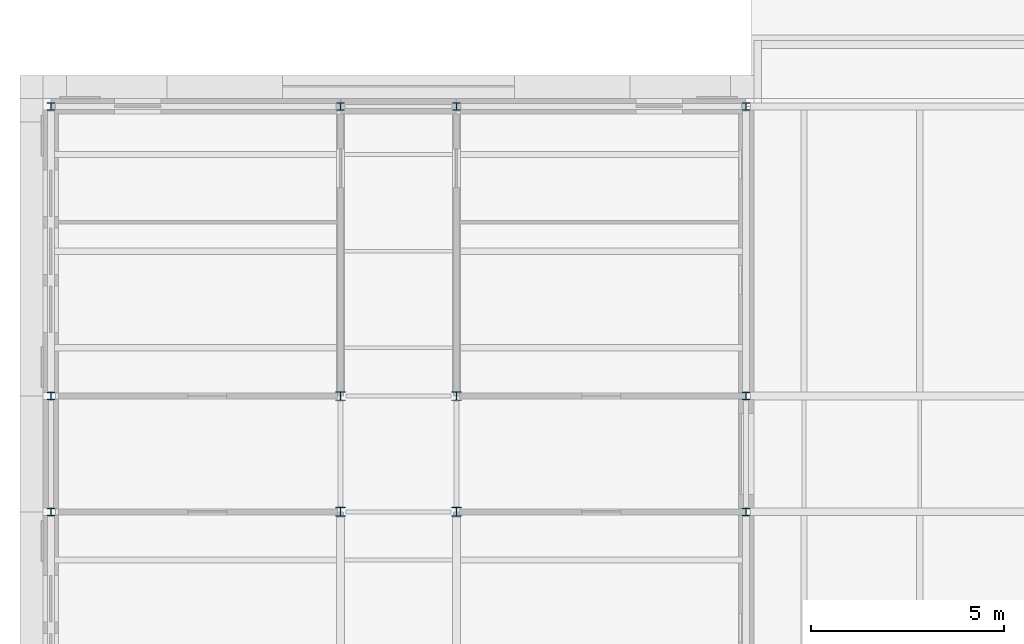
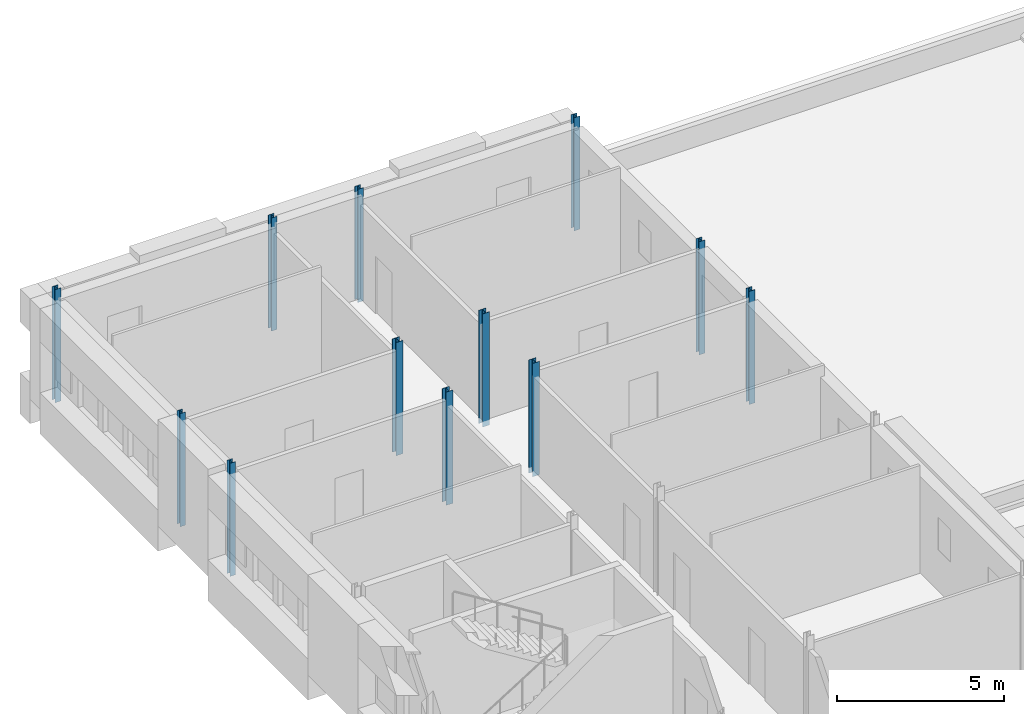
# One storey, part 5 of 42: 12 columns.
"""IFC4 building model written with IfcOpenShell, lengths in metres."""

import ifcopenshell
import ifcopenshell.guid

model = None  # the IFC model being written
_history = None  # IfcOwnerHistory: only IFC2X3 demands one
_inside = {}  # id of a spatial element -> (the spatial element, [elements in it])
_under = {}  # id of a project, library or spatial element -> (it, [spatial elements below it])
_declared = {}  # id of a project -> (the project, [libraries it declares])
_typed = {}  # id of a type object -> (the type object, [elements of that type])
_made_of = {}  # id of a material, layer set ... -> (it, [elements and type objects made of it])


def new_model(schema):
    """Start an empty IFC model of exactly this schema.

    Asked for "IFC4X3", IfcOpenShell would pick the latest addendum, in which some entities
    have other attributes; the version numbers below select the first issue.
    IFC2X3 requires an IfcOwnerHistory on every rooted entity: one is made here for all.
    """
    global model, _history
    if schema == "IFC4X3":
        model = ifcopenshell.file(schema_version=(4, 3, 0, 0))
    else:
        model = ifcopenshell.file(schema=schema)
    _inside.clear()
    _under.clear()
    _declared.clear()
    _typed.clear()
    _made_of.clear()
    _history = None
    if model.schema == "IFC2X3":
        org = make("IfcOrganization", Name="unknown")
        user = make(
            "IfcPersonAndOrganization",
            ThePerson=make("IfcPerson", FamilyName="unknown"),
            TheOrganization=org,
        )
        app = make(
            "IfcApplication",
            ApplicationDeveloper=org,
            Version="unknown",
            ApplicationFullName="unknown",
            ApplicationIdentifier="unknown",
        )
        _history = make(
            "IfcOwnerHistory",
            OwningUser=user,
            OwningApplication=app,
            ChangeAction="ADDED",
            CreationDate=0,
        )
    return model


def make(cls, **values):
    """One entity of the class cls with the attributes given. An attribute that is None is left unset."""
    return model.create_entity(
        cls, **{name: value for name, value in values.items() if value is not None}
    )


def rooted(cls, **values):
    """An entity with a GlobalId (a new one), such as an element, a storey or a relation."""
    return make(cls, GlobalId=ifcopenshell.guid.new(), OwnerHistory=_history, **values)


def si_unit(unit_type, name, prefix=None):
    """IfcSIUnit, for example si_unit("LENGTHUNIT", "METRE", prefix="MILLI")."""
    return make("IfcSIUnit", UnitType=unit_type, Prefix=prefix, Name=name)


def assignment(units):
    """IfcUnitAssignment: the units of a project."""
    return None if units is None else make("IfcUnitAssignment", Units=units)


def point(xyz):
    """IfcCartesianPoint."""
    return None if xyz is None else make("IfcCartesianPoint", Coordinates=xyz)


def direction(xyz):
    """IfcDirection."""
    return None if xyz is None else make("IfcDirection", DirectionRatios=xyz)


def frame(location, z_axis=None, x_axis=None):
    """IfcAxis2Placement3D, a coordinate frame: its origin and axes. An axis left out is left unset."""
    return make(
        "IfcAxis2Placement3D",
        Location=point(location),
        Axis=direction(z_axis),
        RefDirection=direction(x_axis),
    )


def frame_2d(location, x_axis=None):
    """IfcAxis2Placement2D, a coordinate frame in the plane: its origin and x axis."""
    return make(
        "IfcAxis2Placement2D", Location=point(location), RefDirection=direction(x_axis)
    )


def origin():
    """The frame at (0, 0, 0) with its axes left unset."""
    return frame((0.0, 0.0, 0.0))


def origin_2d():
    """The frame at (0, 0) in the plane with its x axis left unset."""
    return frame_2d((0.0, 0.0))


def place(relative_to, where):
    """IfcLocalPlacement: puts the frame where relative to a parent placement (None: the world)."""
    return make(
        "IfcLocalPlacement", PlacementRelTo=relative_to, RelativePlacement=where
    )


def context(
    kind, dimensions, precision=None, world=None, true_north=None, identifier=None
):
    """IfcGeometricRepresentationContext, for example the 3D "Model" context."""
    return make(
        "IfcGeometricRepresentationContext",
        ContextIdentifier=identifier,
        ContextType=kind,
        CoordinateSpaceDimension=dimensions,
        Precision=precision,
        WorldCoordinateSystem=world,
        TrueNorth=true_north,
    )


def subcontext(parent, identifier, kind, view, scale=None):
    """IfcGeometricRepresentationSubContext, for example "Body" below "Model"."""
    return make(
        "IfcGeometricRepresentationSubContext",
        ContextIdentifier=identifier,
        ContextType=kind,
        ParentContext=parent,
        TargetScale=scale,
        TargetView=view,
    )


def project(units=None, contexts=None):
    """IfcProject with its units and contexts."""
    return rooted(
        "IfcProject",
        Name="project",
        RepresentationContexts=contexts,
        UnitsInContext=assignment(units),
    )


def spatial(cls, under=None, at=None, **own):
    """A site, building, storey or space (cls), placed at a placement, below another one or the project."""
    s = rooted(cls, ObjectPlacement=at, **own)
    if under is not None:
        _under.setdefault(under.id(), (under, []))[1].append(s)
    return s


def profile(cls, at=None, kind="AREA", **sizes):
    """A parametric profile (cls). Its sizes go by their IFC names, for example OverallWidth=200.0."""
    return make(cls, ProfileType=kind, Position=at, **sizes)


def i_section(**sizes):
    """IfcIShapeProfileDef."""
    return profile("IfcIShapeProfileDef", **sizes)


def extrude(swept, where, along, depth):
    """IfcExtrudedAreaSolid: the profile swept, set in the frame where, extruded along a direction by depth."""
    return make(
        "IfcExtrudedAreaSolid",
        SweptArea=swept,
        Position=where,
        ExtrudedDirection=direction(along),
        Depth=depth,
    )


def shape(context_of_items, identifier, shape_type, items):
    """IfcShapeRepresentation: the items that make up one representation, for example the "Body"."""
    return make(
        "IfcShapeRepresentation",
        ContextOfItems=context_of_items,
        RepresentationIdentifier=identifier,
        RepresentationType=shape_type,
        Items=items,
    )


def material(Name=None, Category=None):
    """IfcMaterial."""
    return make("IfcMaterial", Name=Name, Category=Category)


def material_profile(
    of_material, cross_section, Name=None, Category=None, Priority=None
):
    """IfcMaterialProfile: a cross section and its material."""
    return make(
        "IfcMaterialProfile",
        Name=Name,
        Material=of_material,
        Profile=cross_section,
        Priority=Priority,
        Category=Category,
    )


def profile_set(profiles, Name=None, composite=None):
    """IfcMaterialProfileSet."""
    return make(
        "IfcMaterialProfileSet",
        Name=Name,
        MaterialProfiles=profiles,
        CompositeProfile=composite,
    )


def made_of(thing, what):
    """Note that an element or type object is made of a material, layer set ...; save() writes the relation."""
    if what is not None:
        _made_of.setdefault(what.id(), (what, []))[1].append(thing)
    return thing


def type_object(cls, material=None, **own):
    """A type object (cls), such as IfcWallType, which elements share."""
    return made_of(rooted(cls, **own), material)


def element(
    cls,
    number,
    at=None,
    inside=None,
    cuts=None,
    type_object=None,
    material=None,
    context=None,
    identifier="Body",
    shape_type=None,
    held_by="IfcProductDefinitionShape",
    body=None,
    shapes=None,
    **own,
):
    """One element of the class cls, such as IfcWall. Its Tag is "e" and its number.

    at: its placement. inside: the storey or other place that contains it. cuts: it is an
    opening in that element (IfcRelVoidsElement). A single representation is given by context,
    identifier, shape_type and body (its items); several are given by shapes. held_by: the class
    of the entity that holds the representations. save() writes the other relations.
    """
    e = rooted(cls, Tag="e%d" % number, ObjectPlacement=at, **own)
    if body is not None:
        shapes = [shape(context, identifier, shape_type, body)]
    if shapes is not None:
        e.Representation = make(held_by, Representations=shapes)
    if inside is not None:
        _inside.setdefault(inside.id(), (inside, []))[1].append(e)
    if cuts is not None:
        rooted(
            "IfcRelVoidsElement", RelatingBuildingElement=cuts, RelatedOpeningElement=e
        )
    if type_object is not None:
        _typed.setdefault(type_object.id(), (type_object, []))[1].append(e)
    return made_of(e, material)


def aggregate(whole, parts):
    """IfcRelAggregates: a whole, such as a stair, and the parts it consists of."""
    return rooted("IfcRelAggregates", RelatingObject=whole, RelatedObjects=parts)


def save(model, path):
    """Write the relations noted so far, then the file.

    IfcRelAggregates (storeys below a building ...), IfcRelContainedInSpatialStructure (elements
    in a storey), IfcRelDefinesByType, IfcRelAssociatesMaterial and IfcRelDeclares: one each for
    every whole, place, type object, material and project.
    """
    for whole, parts in _under.values():
        aggregate(whole, parts)
    for where, things in _inside.values():
        rooted(
            "IfcRelContainedInSpatialStructure",
            RelatedElements=things,
            RelatingStructure=where,
        )
    for kind, things in _typed.values():
        rooted("IfcRelDefinesByType", RelatedObjects=things, RelatingType=kind)
    for what, things in _made_of.values():
        rooted("IfcRelAssociatesMaterial", RelatedObjects=things, RelatingMaterial=what)
    for by, libraries in _declared.values():
        rooted("IfcRelDeclares", RelatingContext=by, RelatedDefinitions=libraries)
    model.write(path)


model = new_model("IFC4")

# Units and contexts
model_context = context("Model", 3, precision=1e-05, world=origin(), true_north=direction((0.0, 1.0)))
body_context = subcontext(model_context, "Body", "Model", "MODEL_VIEW")
ifc_project = project(units=[si_unit("LENGTHUNIT", "METRE"), si_unit("AREAUNIT", "SQUARE_METRE"), si_unit("VOLUMEUNIT", "CUBIC_METRE"), si_unit("PLANEANGLEUNIT", "RADIAN"), si_unit("MASSUNIT", "GRAM", prefix="KILO")], contexts=[model_context])

# Site, building, storey
site_placement = place(None, origin())
site = spatial("IfcSite", under=ifc_project, at=site_placement, CompositionType="ELEMENT")
building_placement = place(site_placement, origin())
building = spatial("IfcBuilding", under=site, at=building_placement, Name="Golden Quay Civic Hall", CompositionType="ELEMENT")
storey_placement = place(building_placement, frame((0.0, 0.0, 22.800048828125)))
storey = spatial("IfcBuildingStorey", under=building, at=storey_placement, Name="L05", CompositionType="ELEMENT", Elevation=22.800048828125)

# Columns
ifc_material_1 = material(Name="Steel S355", Category="steel")
ifc_material_profile_1 = material_profile(ifc_material_1, i_section(OverallWidth=0.199951171875, OverallDepth=0.18994140625, WebThickness=0.006591796875, FlangeThickness=0.010009765625, FilletRadius=0.01806640625, at=origin_2d()), Name="HEA 200")
ifc_profile_set_1 = profile_set([ifc_material_profile_1], Name="Steel S355")
column_type_1 = type_object("IfcColumnType", Name="Steel column HEA 200", PredefinedType="COLUMN", material=ifc_profile_set_1)
for number, where, z_axis, x_axis, name in (
    (1, (0.0, 70.5, -0.199951171875), (0.0, 0.0, 1.0), (1.0, 0.0, 0.0), "Column 0/70.5 L05"),
    (2, (0.0, 73.5, -0.199951171875), (0.0, 0.0, 1.0), (1.0, 0.0, 0.0), "Column 0/73.5 L05"),
    (3, (0.0, 81.0, -0.199951171875), (0.0, 0.0, 1.0), (1.0, 0.0, 0.0), "Column 0/81 L05"),
    (4, (7.5, 81.0, -0.199951171875), (0.0, 0.0, 1.0), (1.0, 0.0, 0.0), "Column 7.5/81 L05"),
    (5, (10.5, 81.0, -0.199951171875), (0.0, 0.0, 1.0), (1.0, 0.0, 0.0), "Column 10.5/81 L05"),
    (6, (18.0, 70.5, -0.199951171875), (0.0, 0.0, 1.0), (1.0, 0.0, 0.0), "Column 18/70.5 L05"),
    (7, (18.0, 73.5, -0.199951171875), (0.0, 0.0, 1.0), (1.0, 0.0, 0.0), "Column 18/73.5 L05"),
    (8, (18.0, 81.0, -0.199951171875), (0.0, 0.0, 1.0), (1.0, 0.0, 0.0), "Column 18/81 L05"),
):
    element("IfcColumn", number, at=place(storey_placement, frame(where, z_axis=z_axis, x_axis=x_axis)), inside=storey, type_object=column_type_1, Name=name, PredefinedType="COLUMN", context=body_context, shape_type="SweptSolid", body=[
        extrude(i_section(OverallWidth=0.199951171875, OverallDepth=0.18994140625, WebThickness=0.006591796875, FlangeThickness=0.010009765625, FilletRadius=0.01806640625, at=origin_2d()), origin(), (0.0, 0.0, 1.0), 4.14990234375),
    ])
ifc_material_2 = material(Name="Steel S355", Category="steel")
ifc_material_profile_2 = material_profile(ifc_material_2, i_section(OverallWidth=0.239990234375, OverallDepth=0.22998046875, WebThickness=0.007568359375, FlangeThickness=0.011962890625, FilletRadius=0.02099609375, at=origin_2d()), Name="HEA 240")
ifc_profile_set_2 = profile_set([ifc_material_profile_2], Name="Steel S355")
column_type_2 = type_object("IfcColumnType", Name="Steel column HEA 240", PredefinedType="COLUMN", material=ifc_profile_set_2)
for number, where, z_axis, x_axis, name in (
    (9, (7.5, 70.5, -0.199951171875), (0.0, 0.0, 1.0), (1.0, 0.0, 0.0), "Column 7.5/70.5 L05"),
    (10, (7.5, 73.5, -0.199951171875), (0.0, 0.0, 1.0), (1.0, 0.0, 0.0), "Column 7.5/73.5 L05"),
    (11, (10.5, 70.5, -0.199951171875), (0.0, 0.0, 1.0), (1.0, 0.0, 0.0), "Column 10.5/70.5 L05"),
    (12, (10.5, 73.5, -0.199951171875), (0.0, 0.0, 1.0), (1.0, 0.0, 0.0), "Column 10.5/73.5 L05"),
):
    element("IfcColumn", number, at=place(storey_placement, frame(where, z_axis=z_axis, x_axis=x_axis)), inside=storey, type_object=column_type_2, Name=name, PredefinedType="COLUMN", context=body_context, shape_type="SweptSolid", body=[
        extrude(i_section(OverallWidth=0.239990234375, OverallDepth=0.22998046875, WebThickness=0.007568359375, FlangeThickness=0.011962890625, FilletRadius=0.02099609375, at=origin_2d()), origin(), (0.0, 0.0, 1.0), 4.14990234375),
    ])

save(model, "model.ifc")
